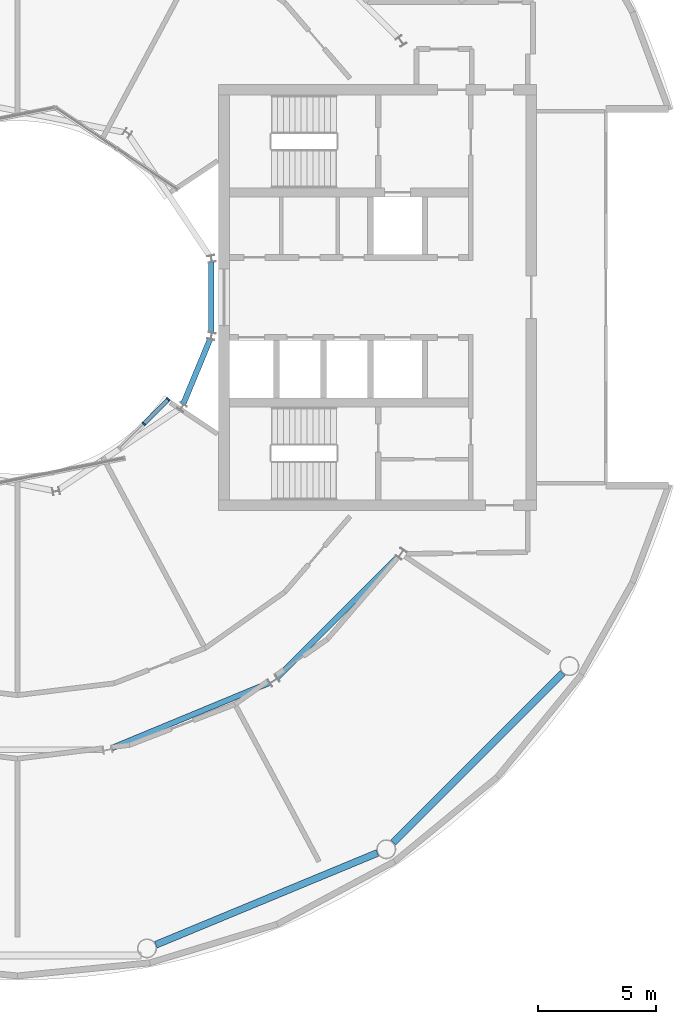
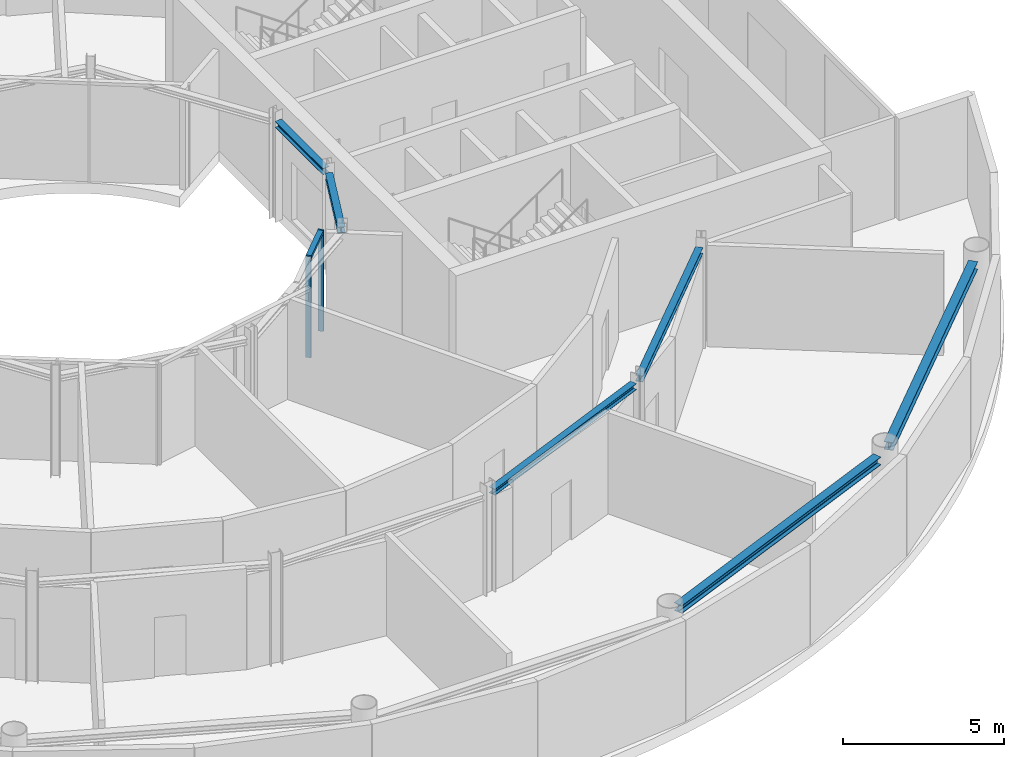
# One storey, part 8 of 19: 6 beams, 3 members, 1 element without a shape of its own.
"""IFC4 building model written with IfcOpenShell, lengths in metres."""

import ifcopenshell
import ifcopenshell.guid

model = None  # the IFC model being written
_history = None  # IfcOwnerHistory: only IFC2X3 demands one
_inside = {}  # id of a spatial element -> (the spatial element, [elements in it])
_under = {}  # id of a project, library or spatial element -> (it, [spatial elements below it])
_declared = {}  # id of a project -> (the project, [libraries it declares])
_typed = {}  # id of a type object -> (the type object, [elements of that type])
_made_of = {}  # id of a material, layer set ... -> (it, [elements and type objects made of it])


def new_model(schema):
    """Start an empty IFC model of exactly this schema.

    Asked for "IFC4X3", IfcOpenShell would pick the latest addendum, in which some entities
    have other attributes; the version numbers below select the first issue.
    IFC2X3 requires an IfcOwnerHistory on every rooted entity: one is made here for all.
    """
    global model, _history
    if schema == "IFC4X3":
        model = ifcopenshell.file(schema_version=(4, 3, 0, 0))
    else:
        model = ifcopenshell.file(schema=schema)
    _inside.clear()
    _under.clear()
    _declared.clear()
    _typed.clear()
    _made_of.clear()
    _history = None
    if model.schema == "IFC2X3":
        org = make("IfcOrganization", Name="unknown")
        user = make(
            "IfcPersonAndOrganization",
            ThePerson=make("IfcPerson", FamilyName="unknown"),
            TheOrganization=org,
        )
        app = make(
            "IfcApplication",
            ApplicationDeveloper=org,
            Version="unknown",
            ApplicationFullName="unknown",
            ApplicationIdentifier="unknown",
        )
        _history = make(
            "IfcOwnerHistory",
            OwningUser=user,
            OwningApplication=app,
            ChangeAction="ADDED",
            CreationDate=0,
        )
    return model


def make(cls, **values):
    """One entity of the class cls with the attributes given. An attribute that is None is left unset."""
    return model.create_entity(
        cls, **{name: value for name, value in values.items() if value is not None}
    )


def rooted(cls, **values):
    """An entity with a GlobalId (a new one), such as an element, a storey or a relation."""
    return make(cls, GlobalId=ifcopenshell.guid.new(), OwnerHistory=_history, **values)


def si_unit(unit_type, name, prefix=None):
    """IfcSIUnit, for example si_unit("LENGTHUNIT", "METRE", prefix="MILLI")."""
    return make("IfcSIUnit", UnitType=unit_type, Prefix=prefix, Name=name)


def assignment(units):
    """IfcUnitAssignment: the units of a project."""
    return None if units is None else make("IfcUnitAssignment", Units=units)


def point(xyz):
    """IfcCartesianPoint."""
    return None if xyz is None else make("IfcCartesianPoint", Coordinates=xyz)


def direction(xyz):
    """IfcDirection."""
    return None if xyz is None else make("IfcDirection", DirectionRatios=xyz)


def frame(location, z_axis=None, x_axis=None):
    """IfcAxis2Placement3D, a coordinate frame: its origin and axes. An axis left out is left unset."""
    return make(
        "IfcAxis2Placement3D",
        Location=point(location),
        Axis=direction(z_axis),
        RefDirection=direction(x_axis),
    )


def frame_2d(location, x_axis=None):
    """IfcAxis2Placement2D, a coordinate frame in the plane: its origin and x axis."""
    return make(
        "IfcAxis2Placement2D", Location=point(location), RefDirection=direction(x_axis)
    )


def origin():
    """The frame at (0, 0, 0) with its axes left unset."""
    return frame((0.0, 0.0, 0.0))


def origin_2d():
    """The frame at (0, 0) in the plane with its x axis left unset."""
    return frame_2d((0.0, 0.0))


def place(relative_to, where):
    """IfcLocalPlacement: puts the frame where relative to a parent placement (None: the world)."""
    return make(
        "IfcLocalPlacement", PlacementRelTo=relative_to, RelativePlacement=where
    )


def context(
    kind, dimensions, precision=None, world=None, true_north=None, identifier=None
):
    """IfcGeometricRepresentationContext, for example the 3D "Model" context."""
    return make(
        "IfcGeometricRepresentationContext",
        ContextIdentifier=identifier,
        ContextType=kind,
        CoordinateSpaceDimension=dimensions,
        Precision=precision,
        WorldCoordinateSystem=world,
        TrueNorth=true_north,
    )


def subcontext(parent, identifier, kind, view, scale=None):
    """IfcGeometricRepresentationSubContext, for example "Body" below "Model"."""
    return make(
        "IfcGeometricRepresentationSubContext",
        ContextIdentifier=identifier,
        ContextType=kind,
        ParentContext=parent,
        TargetScale=scale,
        TargetView=view,
    )


def project(units=None, contexts=None):
    """IfcProject with its units and contexts."""
    return rooted(
        "IfcProject",
        Name="project",
        RepresentationContexts=contexts,
        UnitsInContext=assignment(units),
    )


def spatial(cls, under=None, at=None, **own):
    """A site, building, storey or space (cls), placed at a placement, below another one or the project."""
    s = rooted(cls, ObjectPlacement=at, **own)
    if under is not None:
        _under.setdefault(under.id(), (under, []))[1].append(s)
    return s


def profile(cls, at=None, kind="AREA", **sizes):
    """A parametric profile (cls). Its sizes go by their IFC names, for example OverallWidth=200.0."""
    return make(cls, ProfileType=kind, Position=at, **sizes)


def rectangle(**sizes):
    """IfcRectangleProfileDef."""
    return profile("IfcRectangleProfileDef", **sizes)


def i_section(**sizes):
    """IfcIShapeProfileDef."""
    return profile("IfcIShapeProfileDef", **sizes)


def extrude(swept, where, along, depth):
    """IfcExtrudedAreaSolid: the profile swept, set in the frame where, extruded along a direction by depth."""
    return make(
        "IfcExtrudedAreaSolid",
        SweptArea=swept,
        Position=where,
        ExtrudedDirection=direction(along),
        Depth=depth,
    )


def shape(context_of_items, identifier, shape_type, items):
    """IfcShapeRepresentation: the items that make up one representation, for example the "Body"."""
    return make(
        "IfcShapeRepresentation",
        ContextOfItems=context_of_items,
        RepresentationIdentifier=identifier,
        RepresentationType=shape_type,
        Items=items,
    )


def material(Name=None, Category=None):
    """IfcMaterial."""
    return make("IfcMaterial", Name=Name, Category=Category)


def layer(
    of_material, thickness, ventilated=None, Name=None, Category=None, Priority=None
):
    """IfcMaterialLayer: one layer of a wall or slab, of a material (None: an air gap)."""
    return make(
        "IfcMaterialLayer",
        Material=of_material,
        LayerThickness=thickness,
        IsVentilated=ventilated,
        Name=Name,
        Category=Category,
        Priority=Priority,
    )


def layer_set(layers, Name=None):
    """IfcMaterialLayerSet."""
    return make("IfcMaterialLayerSet", MaterialLayers=layers, LayerSetName=Name)


def material_profile(
    of_material, cross_section, Name=None, Category=None, Priority=None
):
    """IfcMaterialProfile: a cross section and its material."""
    return make(
        "IfcMaterialProfile",
        Name=Name,
        Material=of_material,
        Profile=cross_section,
        Priority=Priority,
        Category=Category,
    )


def profile_set(profiles, Name=None, composite=None):
    """IfcMaterialProfileSet."""
    return make(
        "IfcMaterialProfileSet",
        Name=Name,
        MaterialProfiles=profiles,
        CompositeProfile=composite,
    )


def made_of(thing, what):
    """Note that an element or type object is made of a material, layer set ...; save() writes the relation."""
    if what is not None:
        _made_of.setdefault(what.id(), (what, []))[1].append(thing)
    return thing


def type_object(cls, material=None, **own):
    """A type object (cls), such as IfcWallType, which elements share."""
    return made_of(rooted(cls, **own), material)


def element(
    cls,
    number,
    at=None,
    inside=None,
    cuts=None,
    type_object=None,
    material=None,
    context=None,
    identifier="Body",
    shape_type=None,
    held_by="IfcProductDefinitionShape",
    body=None,
    shapes=None,
    **own,
):
    """One element of the class cls, such as IfcWall. Its Tag is "e" and its number.

    at: its placement. inside: the storey or other place that contains it. cuts: it is an
    opening in that element (IfcRelVoidsElement). A single representation is given by context,
    identifier, shape_type and body (its items); several are given by shapes. held_by: the class
    of the entity that holds the representations. save() writes the other relations.
    """
    e = rooted(cls, Tag="e%d" % number, ObjectPlacement=at, **own)
    if body is not None:
        shapes = [shape(context, identifier, shape_type, body)]
    if shapes is not None:
        e.Representation = make(held_by, Representations=shapes)
    if inside is not None:
        _inside.setdefault(inside.id(), (inside, []))[1].append(e)
    if cuts is not None:
        rooted(
            "IfcRelVoidsElement", RelatingBuildingElement=cuts, RelatedOpeningElement=e
        )
    if type_object is not None:
        _typed.setdefault(type_object.id(), (type_object, []))[1].append(e)
    return made_of(e, material)


def aggregate(whole, parts):
    """IfcRelAggregates: a whole, such as a stair, and the parts it consists of."""
    return rooted("IfcRelAggregates", RelatingObject=whole, RelatedObjects=parts)


def save(model, path):
    """Write the relations noted so far, then the file.

    IfcRelAggregates (storeys below a building ...), IfcRelContainedInSpatialStructure (elements
    in a storey), IfcRelDefinesByType, IfcRelAssociatesMaterial and IfcRelDeclares: one each for
    every whole, place, type object, material and project.
    """
    for whole, parts in _under.values():
        aggregate(whole, parts)
    for where, things in _inside.values():
        rooted(
            "IfcRelContainedInSpatialStructure",
            RelatedElements=things,
            RelatingStructure=where,
        )
    for kind, things in _typed.values():
        rooted("IfcRelDefinesByType", RelatedObjects=things, RelatingType=kind)
    for what, things in _made_of.values():
        rooted("IfcRelAssociatesMaterial", RelatedObjects=things, RelatingMaterial=what)
    for by, libraries in _declared.values():
        rooted("IfcRelDeclares", RelatingContext=by, RelatedDefinitions=libraries)
    model.write(path)


model = new_model("IFC4")

# Units and contexts
model_context = context("Model", 3, precision=1e-05, world=origin(), true_north=direction((0.0, 1.0)))
body_context = subcontext(model_context, "Body", "Model", "MODEL_VIEW")
ifc_project = project(units=[si_unit("LENGTHUNIT", "METRE"), si_unit("AREAUNIT", "SQUARE_METRE"), si_unit("VOLUMEUNIT", "CUBIC_METRE"), si_unit("PLANEANGLEUNIT", "RADIAN"), si_unit("MASSUNIT", "GRAM", prefix="KILO")], contexts=[model_context])

# Site, building, storey
site_placement = place(None, origin())
site = spatial("IfcSite", under=ifc_project, at=site_placement, CompositionType="ELEMENT")
building_placement = place(site_placement, origin())
building = spatial("IfcBuilding", under=site, at=building_placement, Name="Maasbend Ring Residences", CompositionType="ELEMENT")
storey_placement = place(building_placement, frame((0.0, 0.0, 186.0)))
storey = spatial("IfcBuildingStorey", under=building, at=storey_placement, Name="L53", CompositionType="ELEMENT", Elevation=186.0)

# Curtain wall, members
ifc_material_1 = material(Name="Aluminium and clear glass", Category="aluminium")
ifc_layer = layer(ifc_material_1, 0.179931640625)
ifc_layer_set = layer_set([ifc_layer], Name="CW-W")
curtain_wall_type = type_object("IfcCurtainWallType", Name="CW-W", PredefinedType="NOTDEFINED", material=ifc_layer_set)
curtain_wall_placement = place(storey_placement, origin())
curtain_wall = element("IfcCurtainWall", 1, at=curtain_wall_placement, inside=storey, type_object=curtain_wall_type, Name="Well curtain wall S3", PredefinedType="NOTDEFINED")
ifc_material_2 = material(Name="Aluminium 6063-T6", Category="aluminium")
ifc_material_profile_1 = material_profile(ifc_material_2, rectangle(XDim=0.179931640625, YDim=0.06005859375, at=origin_2d()), Name="AL 180x60")
ifc_profile_set_1 = profile_set([ifc_material_profile_1], Name="Aluminium 6063-T6")
member_type_1 = type_object("IfcMemberType", Name="CWM-W", PredefinedType="MULLION", material=ifc_profile_set_1)
member_1_placement = place(storey_placement, frame((5.366943359375, -5.366943359375, 0.0), z_axis=(0.0, 0.0, 1.0), x_axis=(-0.707106781187, 0.707106781187, 0.0)))
member_1 = element("IfcMember", 2, at=member_1_placement, type_object=member_type_1, Name="Mullion well face", PredefinedType="MULLION", context=body_context, shape_type="SweptSolid", body=[
    extrude(rectangle(XDim=0.179931640625, YDim=0.06005859375, at=origin_2d()), origin(), (0.0, 0.0, 1.0), 3.85009765625),
])
member_2_placement = place(storey_placement, frame((6.413330078125, -4.320556640625, 0.0), z_axis=(0.0, 0.0, 1.0), x_axis=(-0.707106781187, 0.707106781187, 0.0)))
member_2 = element("IfcMember", 3, at=member_2_placement, type_object=member_type_1, Name="Mullion well face", PredefinedType="MULLION", context=body_context, shape_type="SweptSolid", body=[
    extrude(rectangle(XDim=0.179931640625, YDim=0.06005859375, at=origin_2d()), origin(), (0.0, 0.0, 1.0), 3.85009765625),
])
ifc_material_3 = material(Name="Aluminium 6063-T6", Category="aluminium")
ifc_material_profile_2 = material_profile(ifc_material_3, rectangle(XDim=0.179931640625, YDim=0.1201171875, at=origin_2d()), Name="AL 180x120")
ifc_profile_set_2 = profile_set([ifc_material_profile_2], Name="Aluminium 6063-T6")
member_type_2 = type_object("IfcMemberType", Name="CWT-W", PredefinedType="USERDEFINED", material=ifc_profile_set_2)
member_3_placement = place(storey_placement, frame((5.38818359375, -5.345703125, 3.7900390625), z_axis=(0.707106781187, 0.707106781187, 0.0), x_axis=(-0.707106781187, 0.707106781187, 0.0)))
member_3 = element("IfcMember", 4, at=member_3_placement, type_object=member_type_2, Name="Transom well face", ObjectType="TRANSOM", PredefinedType="USERDEFINED", context=body_context, shape_type="SweptSolid", body=[
    extrude(rectangle(XDim=0.179931640625, YDim=0.1201171875, at=origin_2d()), origin(), (0.0, 0.0, 1.0), 1.419677734375),
])
aggregate(curtain_wall, [member_1, member_2, member_3])

# Beams
ifc_material_4 = material(Name="Steel S355J2", Category="steel")
ifc_material_profile_3 = material_profile(ifc_material_4, i_section(OverallWidth=0.239990234375, OverallDepth=0.22998046875, WebThickness=0.007568359375, FlangeThickness=0.011962890625, FilletRadius=0.02099609375, at=origin_2d()), Name="HEA 240")
ifc_profile_set_3 = profile_set([ifc_material_profile_3], Name="Steel S355J2")
beam_type_1 = type_object("IfcBeamType", Name="Corridor ring beam HEA 240", PredefinedType="BEAM", material=ifc_profile_set_3)
beam_1_placement = place(storey_placement, frame((4.01220703125, -19.1455078125, 3.735107421875), z_axis=(0.923865162022, 0.382718123952, 0.0), x_axis=(-0.382718123952, 0.923865162022, 0.0)))
element("IfcBeam", 5, at=beam_1_placement, inside=storey, type_object=beam_type_1, Name="Corridor ring beam", PredefinedType="BEAM", context=body_context, shape_type="SweptSolid", body=[
    extrude(i_section(OverallWidth=0.239990234375, OverallDepth=0.22998046875, WebThickness=0.007568359375, FlangeThickness=0.011962890625, FilletRadius=0.02099609375, at=origin_2d()), origin(), (0.0, 0.0, 1.0), 7.23974609375),
])
beam_2_placement = place(storey_placement, frame((11.033447265625, -16.152587890625, 3.735107421875), z_axis=(0.707106781187, 0.707106781187, 0.0), x_axis=(-0.707106781187, 0.707106781187, 0.0)))
element("IfcBeam", 6, at=beam_2_placement, inside=storey, type_object=beam_type_1, Name="Corridor ring beam", PredefinedType="BEAM", context=body_context, shape_type="SweptSolid", body=[
    extrude(i_section(OverallWidth=0.239990234375, OverallDepth=0.22998046875, WebThickness=0.007568359375, FlangeThickness=0.011962890625, FilletRadius=0.02099609375, at=origin_2d()), origin(), (0.0, 0.0, 1.0), 7.239501953125),
])
ifc_material_5 = material(Name="Steel S355J2", Category="steel")
ifc_material_profile_4 = material_profile(ifc_material_5, i_section(OverallWidth=0.300048828125, OverallDepth=0.300048828125, WebThickness=0.010986328125, FlangeThickness=0.01904296875, FilletRadius=0.027099609375, at=origin_2d()), Name="HEB 300")
ifc_profile_set_4 = profile_set([ifc_material_profile_4], Name="Steel S355J2")
beam_type_2 = type_object("IfcBeamType", Name="Spandrel ring beam HEB 300", PredefinedType="SPANDREL", material=ifc_profile_set_4)
for number, where, z_axis, x_axis, name in (
    (7, (5.877197265625, -27.50244140625, 3.699951171875), (0.923883676188, 0.382673428492, 0.0), (-0.382673428492, 0.923883676188, 0.0), "Spandrel ring beam"),
    (8, (15.95458984375, -23.159912109375, 3.699951171875), (0.707106781187, 0.707106781187, 0.0), (-0.707106781187, 0.707106781187, 0.0), "Spandrel ring beam"),
):
    element("IfcBeam", number, at=place(storey_placement, frame(where, z_axis=z_axis, x_axis=x_axis)), inside=storey, type_object=beam_type_2, Name=name, PredefinedType="SPANDREL", context=body_context, shape_type="SweptSolid", body=[
        extrude(i_section(OverallWidth=0.300048828125, OverallDepth=0.300048828125, WebThickness=0.010986328125, FlangeThickness=0.01904296875, FilletRadius=0.027099609375, at=origin_2d()), origin(), (0.0, 0.0, 1.0), 10.18994140625),
    ])
ifc_material_6 = material(Name="Steel S355J2", Category="steel")
ifc_material_profile_5 = material_profile(ifc_material_6, i_section(OverallWidth=0.239990234375, OverallDepth=0.22998046875, WebThickness=0.007568359375, FlangeThickness=0.011962890625, FilletRadius=0.02099609375, at=origin_2d()), Name="HEA 240")
ifc_profile_set_5 = profile_set([ifc_material_profile_5], Name="Steel S355J2")
beam_type_3 = type_object("IfcBeamType", Name="Well edge beam HEA 240", PredefinedType="BEAM", material=ifc_profile_set_5)
beam_3_placement = place(storey_placement, frame((7.041015625, -4.5302734375, 3.735107421875), z_axis=(0.382614534057, 0.923908068115, 0.0), x_axis=(-0.923908068115, 0.382614534057, 0.0)))
element("IfcBeam", 9, at=beam_3_placement, inside=storey, type_object=beam_type_3, Name="Well edge beam", PredefinedType="BEAM", context=body_context, shape_type="SweptSolid", body=[
    extrude(i_section(OverallWidth=0.239990234375, OverallDepth=0.22998046875, WebThickness=0.007568359375, FlangeThickness=0.011962890625, FilletRadius=0.02099609375, at=origin_2d()), origin(), (0.0, 0.0, 1.0), 2.981689453125),
])
beam_4_placement = place(storey_placement, frame((8.238525390625, -1.490966796875, 3.735107421875), z_axis=(0.0, 1.0, 0.0), x_axis=(-1.0, 0.0, 0.0)))
element("IfcBeam", 10, at=beam_4_placement, inside=storey, type_object=beam_type_3, Name="Well edge beam", PredefinedType="BEAM", context=body_context, shape_type="SweptSolid", body=[
    extrude(i_section(OverallWidth=0.239990234375, OverallDepth=0.22998046875, WebThickness=0.007568359375, FlangeThickness=0.011962890625, FilletRadius=0.02099609375, at=origin_2d()), origin(), (0.0, 0.0, 1.0), 2.98193359375),
])

save(model, "model.ifc")
